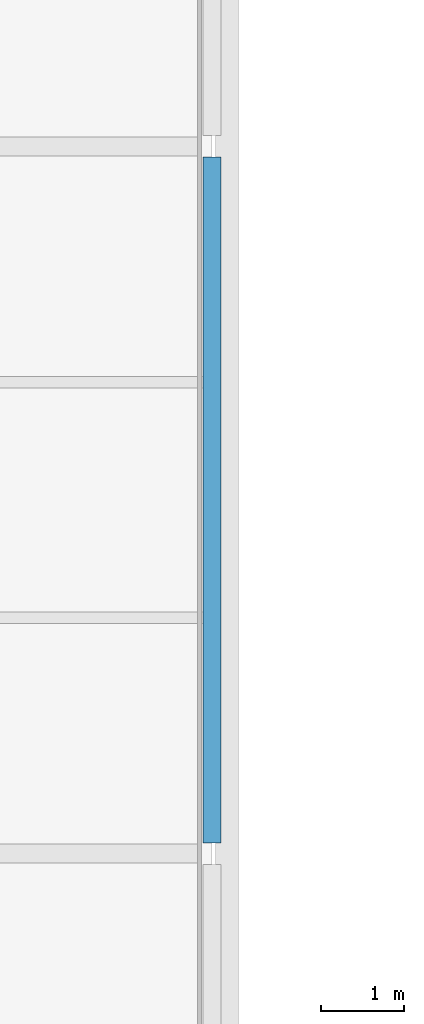
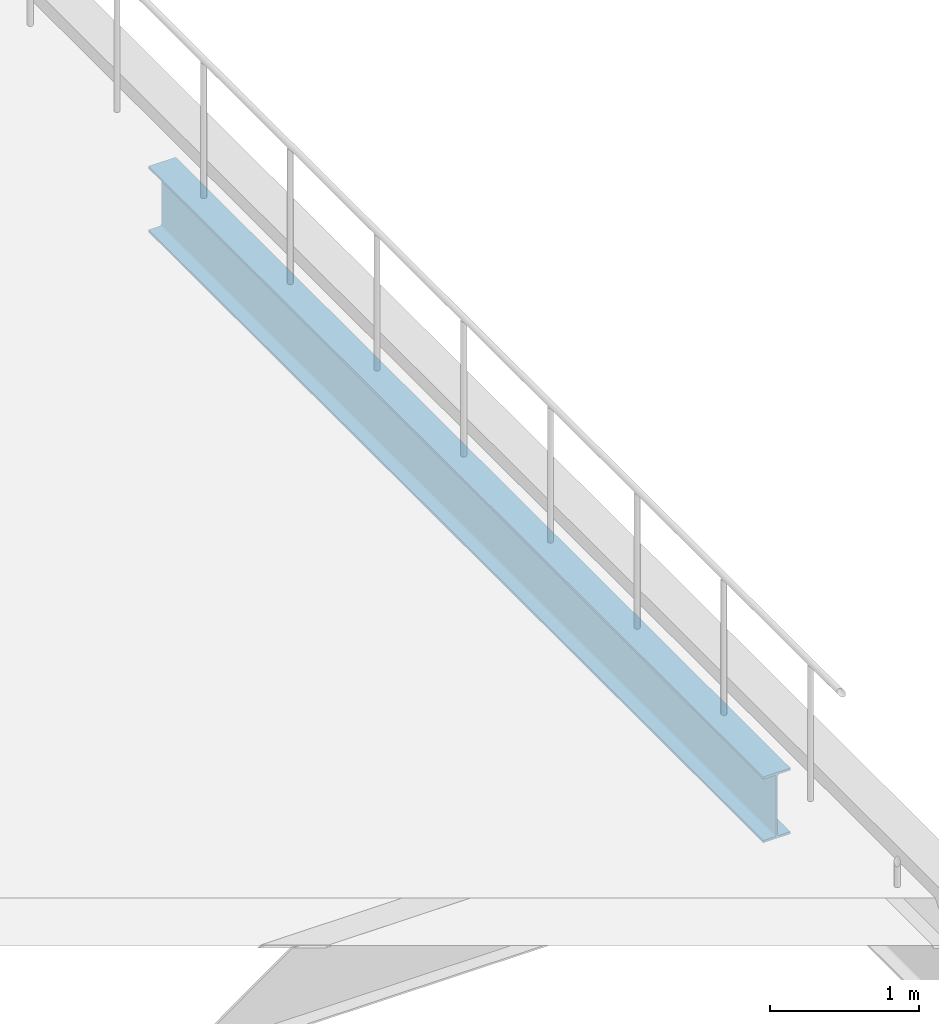
# One storey, part 69 of 156: 1 beam.
"""IFC4 building model written with IfcOpenShell, lengths in metres."""

from ifc_helpers import new_model, si_unit, direction, frame, origin, origin_2d, place, context, subcontext, project, spatial, i_section, extrude, material, material_profile, profile_set, type_object, element, save


model = new_model("IFC4")

# Units and contexts
model_context = context("Model", 3, precision=1e-05, world=origin(), true_north=direction((0.0, 1.0)))
body_context = subcontext(model_context, "Body", "Model", "MODEL_VIEW")
ifc_project = project(units=[si_unit("LENGTHUNIT", "METRE"), si_unit("AREAUNIT", "SQUARE_METRE"), si_unit("VOLUMEUNIT", "CUBIC_METRE"), si_unit("PLANEANGLEUNIT", "RADIAN"), si_unit("MASSUNIT", "GRAM", prefix="KILO")], contexts=[model_context])

# Site, building, storey
site_placement = place(None, origin())
site = spatial("IfcSite", under=ifc_project, at=site_placement, CompositionType="ELEMENT")
building_placement = place(site_placement, origin())
building = spatial("IfcBuilding", under=site, at=building_placement, Name="Caurita Quay Ferry Terminal", CompositionType="ELEMENT")
storey_placement = place(building_placement, frame((0.0, 0.0, 5.39990234375)))
storey = spatial("IfcBuildingStorey", under=building, at=storey_placement, Name="L01", CompositionType="ELEMENT", Elevation=5.39990234375)

# Beam
ifc_material = material(Name="Structural steel ASTM A992 Gr. 50", Category="steel")
ifc_material_profile = material_profile(ifc_material, i_section(OverallWidth=0.210693359375, OverallDepth=0.53857421875, WebThickness=0.01171875, FlangeThickness=0.018798828125, FilletRadius=0.013916015625, at=origin_2d()), Name="W21X73")
ifc_profile_set = profile_set([ifc_material_profile], Name="Structural steel ASTM A992 Gr. 50")
beam_type = type_object("IfcBeamType", Name="BM-GR-W21A", PredefinedType="BEAM", material=ifc_profile_set)
beam_placement = place(storey_placement, frame((153.199951171875, 17.12939453125, -0.529296875), z_axis=(0.0, 1.0, 0.0), x_axis=(-1.0, 0.0, 0.0)))
element("IfcBeam", 1, at=beam_placement, inside=storey, type_object=beam_type, Name="L01 Beam BM-V3P-L01-Y-1532-171", PredefinedType="BEAM", context=body_context, shape_type="SweptSolid", body=[
    extrude(i_section(OverallWidth=0.210693359375, OverallDepth=0.53857421875, WebThickness=0.01171875, FlangeThickness=0.018798828125, FilletRadius=0.013916015625, at=origin_2d()), origin(), (0.0, 0.0, 1.0), 8.2412109375),
])

save(model, "model.ifc")
